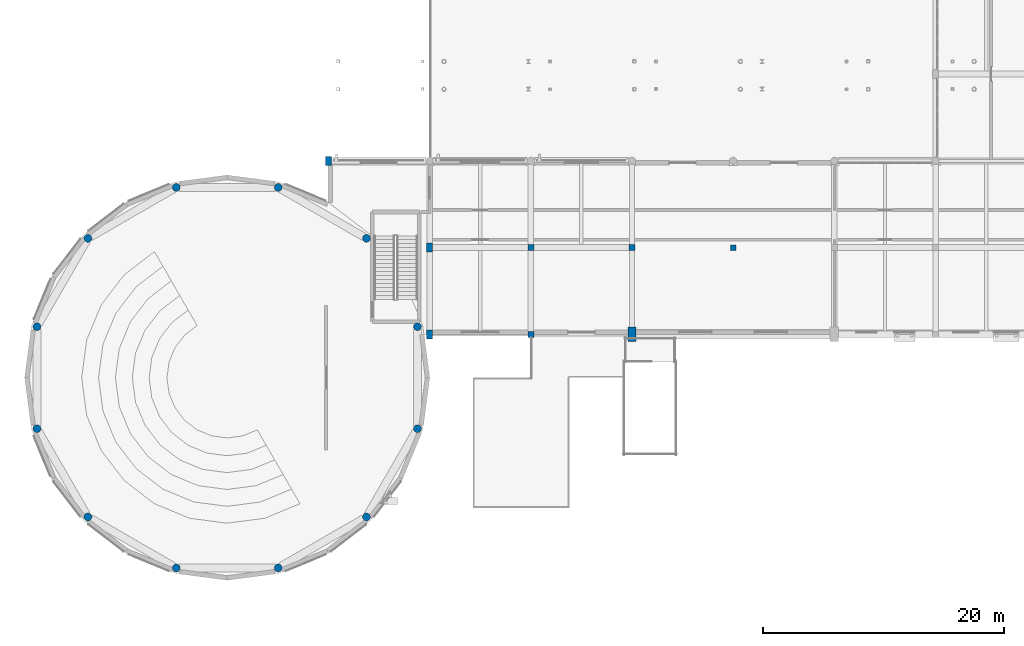
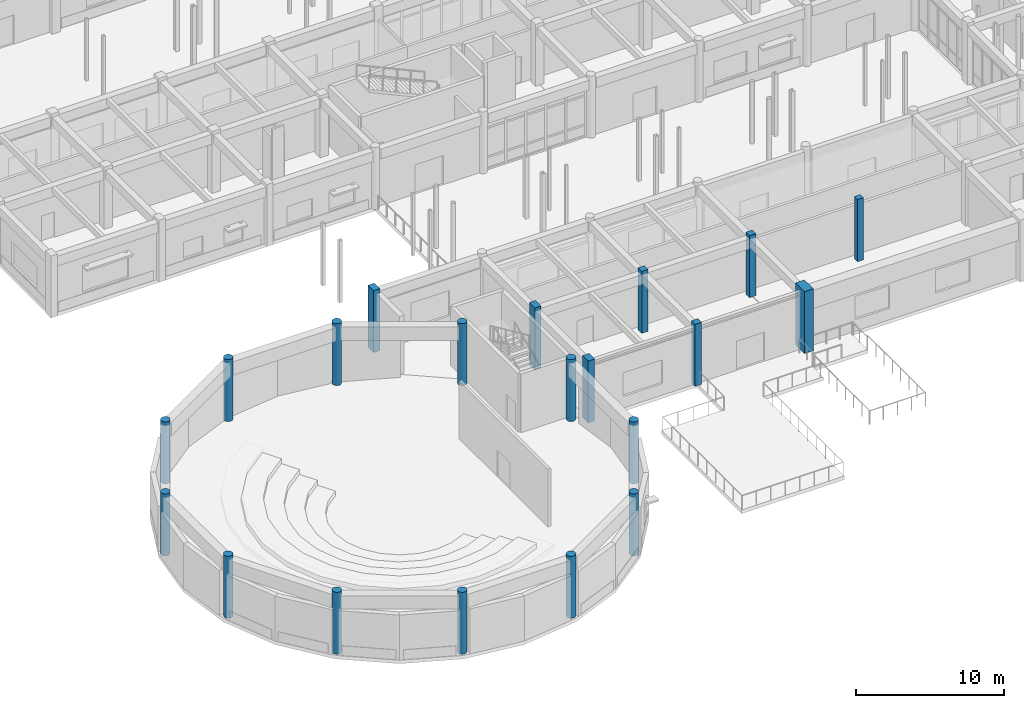
# One storey, part 1 of 121: 20 columns.
"""IFC4 building model written with IfcOpenShell, lengths in metres."""

import ifcopenshell
import ifcopenshell.guid

model = None  # the IFC model being written
_history = None  # IfcOwnerHistory: only IFC2X3 demands one
_inside = {}  # id of a spatial element -> (the spatial element, [elements in it])
_under = {}  # id of a project, library or spatial element -> (it, [spatial elements below it])
_declared = {}  # id of a project -> (the project, [libraries it declares])
_typed = {}  # id of a type object -> (the type object, [elements of that type])
_made_of = {}  # id of a material, layer set ... -> (it, [elements and type objects made of it])


def new_model(schema):
    """Start an empty IFC model of exactly this schema.

    Asked for "IFC4X3", IfcOpenShell would pick the latest addendum, in which some entities
    have other attributes; the version numbers below select the first issue.
    IFC2X3 requires an IfcOwnerHistory on every rooted entity: one is made here for all.
    """
    global model, _history
    if schema == "IFC4X3":
        model = ifcopenshell.file(schema_version=(4, 3, 0, 0))
    else:
        model = ifcopenshell.file(schema=schema)
    _inside.clear()
    _under.clear()
    _declared.clear()
    _typed.clear()
    _made_of.clear()
    _history = None
    if model.schema == "IFC2X3":
        org = make("IfcOrganization", Name="unknown")
        user = make(
            "IfcPersonAndOrganization",
            ThePerson=make("IfcPerson", FamilyName="unknown"),
            TheOrganization=org,
        )
        app = make(
            "IfcApplication",
            ApplicationDeveloper=org,
            Version="unknown",
            ApplicationFullName="unknown",
            ApplicationIdentifier="unknown",
        )
        _history = make(
            "IfcOwnerHistory",
            OwningUser=user,
            OwningApplication=app,
            ChangeAction="ADDED",
            CreationDate=0,
        )
    return model


def make(cls, **values):
    """One entity of the class cls with the attributes given. An attribute that is None is left unset."""
    return model.create_entity(
        cls, **{name: value for name, value in values.items() if value is not None}
    )


def rooted(cls, **values):
    """An entity with a GlobalId (a new one), such as an element, a storey or a relation."""
    return make(cls, GlobalId=ifcopenshell.guid.new(), OwnerHistory=_history, **values)


def si_unit(unit_type, name, prefix=None):
    """IfcSIUnit, for example si_unit("LENGTHUNIT", "METRE", prefix="MILLI")."""
    return make("IfcSIUnit", UnitType=unit_type, Prefix=prefix, Name=name)


def assignment(units):
    """IfcUnitAssignment: the units of a project."""
    return None if units is None else make("IfcUnitAssignment", Units=units)


def point(xyz):
    """IfcCartesianPoint."""
    return None if xyz is None else make("IfcCartesianPoint", Coordinates=xyz)


def direction(xyz):
    """IfcDirection."""
    return None if xyz is None else make("IfcDirection", DirectionRatios=xyz)


def frame(location, z_axis=None, x_axis=None):
    """IfcAxis2Placement3D, a coordinate frame: its origin and axes. An axis left out is left unset."""
    return make(
        "IfcAxis2Placement3D",
        Location=point(location),
        Axis=direction(z_axis),
        RefDirection=direction(x_axis),
    )


def frame_2d(location, x_axis=None):
    """IfcAxis2Placement2D, a coordinate frame in the plane: its origin and x axis."""
    return make(
        "IfcAxis2Placement2D", Location=point(location), RefDirection=direction(x_axis)
    )


def origin():
    """The frame at (0, 0, 0) with its axes left unset."""
    return frame((0.0, 0.0, 0.0))


def origin_2d():
    """The frame at (0, 0) in the plane with its x axis left unset."""
    return frame_2d((0.0, 0.0))


def place(relative_to, where):
    """IfcLocalPlacement: puts the frame where relative to a parent placement (None: the world)."""
    return make(
        "IfcLocalPlacement", PlacementRelTo=relative_to, RelativePlacement=where
    )


def context(
    kind, dimensions, precision=None, world=None, true_north=None, identifier=None
):
    """IfcGeometricRepresentationContext, for example the 3D "Model" context."""
    return make(
        "IfcGeometricRepresentationContext",
        ContextIdentifier=identifier,
        ContextType=kind,
        CoordinateSpaceDimension=dimensions,
        Precision=precision,
        WorldCoordinateSystem=world,
        TrueNorth=true_north,
    )


def subcontext(parent, identifier, kind, view, scale=None):
    """IfcGeometricRepresentationSubContext, for example "Body" below "Model"."""
    return make(
        "IfcGeometricRepresentationSubContext",
        ContextIdentifier=identifier,
        ContextType=kind,
        ParentContext=parent,
        TargetScale=scale,
        TargetView=view,
    )


def project(units=None, contexts=None):
    """IfcProject with its units and contexts."""
    return rooted(
        "IfcProject",
        Name="project",
        RepresentationContexts=contexts,
        UnitsInContext=assignment(units),
    )


def spatial(cls, under=None, at=None, **own):
    """A site, building, storey or space (cls), placed at a placement, below another one or the project."""
    s = rooted(cls, ObjectPlacement=at, **own)
    if under is not None:
        _under.setdefault(under.id(), (under, []))[1].append(s)
    return s


def profile(cls, at=None, kind="AREA", **sizes):
    """A parametric profile (cls). Its sizes go by their IFC names, for example OverallWidth=200.0."""
    return make(cls, ProfileType=kind, Position=at, **sizes)


def rectangle(**sizes):
    """IfcRectangleProfileDef."""
    return profile("IfcRectangleProfileDef", **sizes)


def circle(**sizes):
    """IfcCircleProfileDef."""
    return profile("IfcCircleProfileDef", **sizes)


def extrude(swept, where, along, depth):
    """IfcExtrudedAreaSolid: the profile swept, set in the frame where, extruded along a direction by depth."""
    return make(
        "IfcExtrudedAreaSolid",
        SweptArea=swept,
        Position=where,
        ExtrudedDirection=direction(along),
        Depth=depth,
    )


def shape(context_of_items, identifier, shape_type, items):
    """IfcShapeRepresentation: the items that make up one representation, for example the "Body"."""
    return make(
        "IfcShapeRepresentation",
        ContextOfItems=context_of_items,
        RepresentationIdentifier=identifier,
        RepresentationType=shape_type,
        Items=items,
    )


def material(Name=None, Category=None):
    """IfcMaterial."""
    return make("IfcMaterial", Name=Name, Category=Category)


def material_profile(
    of_material, cross_section, Name=None, Category=None, Priority=None
):
    """IfcMaterialProfile: a cross section and its material."""
    return make(
        "IfcMaterialProfile",
        Name=Name,
        Material=of_material,
        Profile=cross_section,
        Priority=Priority,
        Category=Category,
    )


def profile_set(profiles, Name=None, composite=None):
    """IfcMaterialProfileSet."""
    return make(
        "IfcMaterialProfileSet",
        Name=Name,
        MaterialProfiles=profiles,
        CompositeProfile=composite,
    )


def made_of(thing, what):
    """Note that an element or type object is made of a material, layer set ...; save() writes the relation."""
    if what is not None:
        _made_of.setdefault(what.id(), (what, []))[1].append(thing)
    return thing


def type_object(cls, material=None, **own):
    """A type object (cls), such as IfcWallType, which elements share."""
    return made_of(rooted(cls, **own), material)


def element(
    cls,
    number,
    at=None,
    inside=None,
    cuts=None,
    type_object=None,
    material=None,
    context=None,
    identifier="Body",
    shape_type=None,
    held_by="IfcProductDefinitionShape",
    body=None,
    shapes=None,
    **own,
):
    """One element of the class cls, such as IfcWall. Its Tag is "e" and its number.

    at: its placement. inside: the storey or other place that contains it. cuts: it is an
    opening in that element (IfcRelVoidsElement). A single representation is given by context,
    identifier, shape_type and body (its items); several are given by shapes. held_by: the class
    of the entity that holds the representations. save() writes the other relations.
    """
    e = rooted(cls, Tag="e%d" % number, ObjectPlacement=at, **own)
    if body is not None:
        shapes = [shape(context, identifier, shape_type, body)]
    if shapes is not None:
        e.Representation = make(held_by, Representations=shapes)
    if inside is not None:
        _inside.setdefault(inside.id(), (inside, []))[1].append(e)
    if cuts is not None:
        rooted(
            "IfcRelVoidsElement", RelatingBuildingElement=cuts, RelatedOpeningElement=e
        )
    if type_object is not None:
        _typed.setdefault(type_object.id(), (type_object, []))[1].append(e)
    return made_of(e, material)


def aggregate(whole, parts):
    """IfcRelAggregates: a whole, such as a stair, and the parts it consists of."""
    return rooted("IfcRelAggregates", RelatingObject=whole, RelatedObjects=parts)


def save(model, path):
    """Write the relations noted so far, then the file.

    IfcRelAggregates (storeys below a building ...), IfcRelContainedInSpatialStructure (elements
    in a storey), IfcRelDefinesByType, IfcRelAssociatesMaterial and IfcRelDeclares: one each for
    every whole, place, type object, material and project.
    """
    for whole, parts in _under.values():
        aggregate(whole, parts)
    for where, things in _inside.values():
        rooted(
            "IfcRelContainedInSpatialStructure",
            RelatedElements=things,
            RelatingStructure=where,
        )
    for kind, things in _typed.values():
        rooted("IfcRelDefinesByType", RelatedObjects=things, RelatingType=kind)
    for what, things in _made_of.values():
        rooted("IfcRelAssociatesMaterial", RelatedObjects=things, RelatingMaterial=what)
    for by, libraries in _declared.values():
        rooted("IfcRelDeclares", RelatingContext=by, RelatedDefinitions=libraries)
    model.write(path)


model = new_model("IFC4")

# Units and contexts
model_context = context("Model", 3, precision=1e-05, world=origin(), true_north=direction((0.0, 1.0)))
body_context = subcontext(model_context, "Body", "Model", "MODEL_VIEW")
ifc_project = project(units=[si_unit("LENGTHUNIT", "METRE"), si_unit("AREAUNIT", "SQUARE_METRE"), si_unit("VOLUMEUNIT", "CUBIC_METRE"), si_unit("PLANEANGLEUNIT", "RADIAN"), si_unit("MASSUNIT", "GRAM", prefix="KILO")], contexts=[model_context])

# Site, building, storey
site_placement = place(None, origin())
site = spatial("IfcSite", under=ifc_project, at=site_placement, CompositionType="ELEMENT")
building_placement = place(site_placement, origin())
building = spatial("IfcBuilding", under=site, at=building_placement, Name="Malvenik Polytechnic", CompositionType="ELEMENT")
storey_placement = place(building_placement, origin())
storey = spatial("IfcBuildingStorey", under=building, at=storey_placement, Name="L00", CompositionType="ELEMENT", Elevation=0.0)

# Columns
ifc_material_1 = material(Name="Concrete C35/45", Category="concrete")
ifc_material_profile_1 = material_profile(ifc_material_1, rectangle(XDim=0.5, YDim=0.5, at=origin_2d()), Name="RC COL 500x500")
ifc_profile_set_1 = profile_set([ifc_material_profile_1], Name="Concrete C35/45")
column_type_1 = type_object("IfcColumnType", Name="STR-COL-C-08", PredefinedType="COLUMN", material=ifc_profile_set_1)
for number, where, z_axis, x_axis, name in (
    (1, (42.0, 21.60009765625, 0.0), (0.0, 0.0, 1.0), (1.0, 0.0, 0.0), "Column C-08 L00 (42.0,21.6)"),
    (2, (42.0, 28.800048828125, 0.0), (0.0, 0.0, 1.0), (1.0, 0.0, 0.0), "Column C-08 L00 (42.0,28.8)"),
    (3, (50.39990234375, 28.800048828125, 0.0), (0.0, 0.0, 1.0), (1.0, 0.0, 0.0), "Column C-08 L00 (50.4,28.8)"),
):
    element("IfcColumn", number, at=place(storey_placement, frame(where, z_axis=z_axis, x_axis=x_axis)), inside=storey, type_object=column_type_1, Name=name, PredefinedType="COLUMN", context=body_context, shape_type="SweptSolid", body=[
        extrude(rectangle(XDim=0.5, YDim=0.5, at=origin_2d()), origin(), (0.0, 0.0, 1.0), 5.10009765625),
    ])
ifc_material_profile_2 = material_profile(ifc_material_1, rectangle(XDim=0.449951171875, YDim=0.449951171875, at=origin_2d()), Name="RC COL 450x450")
ifc_profile_set_2 = profile_set([ifc_material_profile_2], Name="Concrete C35/45")
column_type_2 = type_object("IfcColumnType", Name="STR-COL-C-09", PredefinedType="COLUMN", material=ifc_profile_set_2)
column_1_placement = place(storey_placement, frame((58.800048828125, 28.800048828125, 0.0), z_axis=(0.0, 0.0, 1.0), x_axis=(1.0, 0.0, 0.0)))
element("IfcColumn", 4, at=column_1_placement, inside=storey, type_object=column_type_2, Name="Column C-09 L00 (58.8,28.8)", PredefinedType="COLUMN", context=body_context, shape_type="SweptSolid", body=[
    extrude(rectangle(XDim=0.449951171875, YDim=0.449951171875, at=origin_2d()), origin(), (0.0, 0.0, 1.0), 5.10009765625),
])
ifc_material_2 = material(Name="Concrete C40/50", Category="concrete")
ifc_material_profile_3 = material_profile(ifc_material_2, rectangle(XDim=0.699951171875, YDim=1.199951171875, at=origin_2d()), Name="RC COL 1200x700")
ifc_profile_set_3 = profile_set([ifc_material_profile_3], Name="Concrete C40/50")
column_type_3 = type_object("IfcColumnType", Name="STR-COL-C-13", PredefinedType="COLUMN", material=ifc_profile_set_3)
column_2_placement = place(storey_placement, frame((50.39990234375, 21.60009765625, 0.0), z_axis=(0.0, 0.0, 1.0), x_axis=(1.0, 0.0, 0.0)))
element("IfcColumn", 5, at=column_2_placement, inside=storey, type_object=column_type_3, Name="Column C-13 L00 (50.4,21.6)", PredefinedType="COLUMN", context=body_context, shape_type="SweptSolid", body=[
    extrude(rectangle(XDim=0.699951171875, YDim=1.199951171875, at=origin_2d()), origin(), (0.0, 0.0, 1.0), 5.10009765625),
])
ifc_material_profile_4 = material_profile(ifc_material_1, rectangle(XDim=0.5, YDim=0.75, at=origin_2d()), Name="RC COL 750x500")
ifc_profile_set_4 = profile_set([ifc_material_profile_4], Name="Concrete C35/45")
column_type_4 = type_object("IfcColumnType", Name="STR-COL-C-14", PredefinedType="COLUMN", material=ifc_profile_set_4)
for number, where, z_axis, x_axis, name in (
    (6, (25.199951171875, 36.0, 0.0), (0.0, 0.0, 1.0), (1.0, 0.0, 0.0), "Column C-14 L00 (25.2,36.0)"),
    (7, (33.60009765625, 21.60009765625, 0.0), (0.0, 0.0, 1.0), (1.0, 0.0, 0.0), "Column C-14 L00 (33.6,21.6)"),
    (8, (33.60009765625, 28.800048828125, 0.0), (0.0, 0.0, 1.0), (1.0, 0.0, 0.0), "Column C-14 L00 (33.6,28.8)"),
):
    element("IfcColumn", number, at=place(storey_placement, frame(where, z_axis=z_axis, x_axis=x_axis)), inside=storey, type_object=column_type_4, Name=name, PredefinedType="COLUMN", context=body_context, shape_type="SweptSolid", body=[
        extrude(rectangle(XDim=0.5, YDim=0.75, at=origin_2d()), origin(), (0.0, 0.0, 1.0), 5.10009765625),
    ])
ifc_material_profile_5 = material_profile(ifc_material_1, circle(Radius=0.324951171875, at=origin_2d()), Name="RC COL D650")
ifc_profile_set_5 = profile_set([ifc_material_profile_5], Name="Concrete C35/45")
column_type_5 = type_object("IfcColumnType", Name="STR-COL-C-17", PredefinedType="COLUMN", material=ifc_profile_set_5)
for number, where, z_axis, x_axis, name in (
    (9, (1.007080078125, 13.76806640625, 0.0), (0.0, 0.0, 1.0), (1.0, 0.0, 0.0), "Column C-17 L00 (1.0,13.8)"),
    (10, (1.007080078125, 22.23193359375, 0.0), (0.0, 0.0, 1.0), (1.0, 0.0, 0.0), "Column C-17 L00 (1.0,22.2)"),
    (11, (5.239013671875, 6.43896484375, 0.0), (0.0, 0.0, 1.0), (1.0, 0.0, 0.0), "Column C-17 L00 (5.2,6.4)"),
    (12, (5.239013671875, 29.56103515625, 0.0), (0.0, 0.0, 1.0), (1.0, 0.0, 0.0), "Column C-17 L00 (5.2,29.6)"),
    (13, (12.568115234375, 2.20703125, 0.0), (0.0, 0.0, 1.0), (1.0, 0.0, 0.0), "Column C-17 L00 (12.6,2.2)"),
    (14, (12.568115234375, 33.79296875, 0.0), (0.0, 0.0, 1.0), (1.0, 0.0, 0.0), "Column C-17 L00 (12.6,33.8)"),
    (15, (21.031982421875, 2.20703125, 0.0), (0.0, 0.0, 1.0), (1.0, 0.0, 0.0), "Column C-17 L00 (21.0,2.2)"),
    (16, (21.031982421875, 33.79296875, 0.0), (0.0, 0.0, 1.0), (1.0, 0.0, 0.0), "Column C-17 L00 (21.0,33.8)"),
    (17, (28.361083984375, 6.43896484375, 0.0), (0.0, 0.0, 1.0), (1.0, 0.0, 0.0), "Column C-17 L00 (28.4,6.4)"),
    (18, (28.361083984375, 29.56103515625, 0.0), (0.0, 0.0, 1.0), (1.0, 0.0, 0.0), "Column C-17 L00 (28.4,29.6)"),
    (19, (32.593017578125, 13.76806640625, 0.0), (0.0, 0.0, 1.0), (1.0, 0.0, 0.0), "Column C-17 L00 (32.6,13.8)"),
    (20, (32.593017578125, 22.23193359375, 0.0), (0.0, 0.0, 1.0), (1.0, 0.0, 0.0), "Column C-17 L00 (32.6,22.2)"),
):
    element("IfcColumn", number, at=place(storey_placement, frame(where, z_axis=z_axis, x_axis=x_axis)), inside=storey, type_object=column_type_5, Name=name, PredefinedType="COLUMN", context=body_context, shape_type="SweptSolid", body=[
        extrude(circle(Radius=0.324951171875, at=origin_2d()), origin(), (0.0, 0.0, 1.0), 5.10009765625),
    ])

save(model, "model.ifc")
